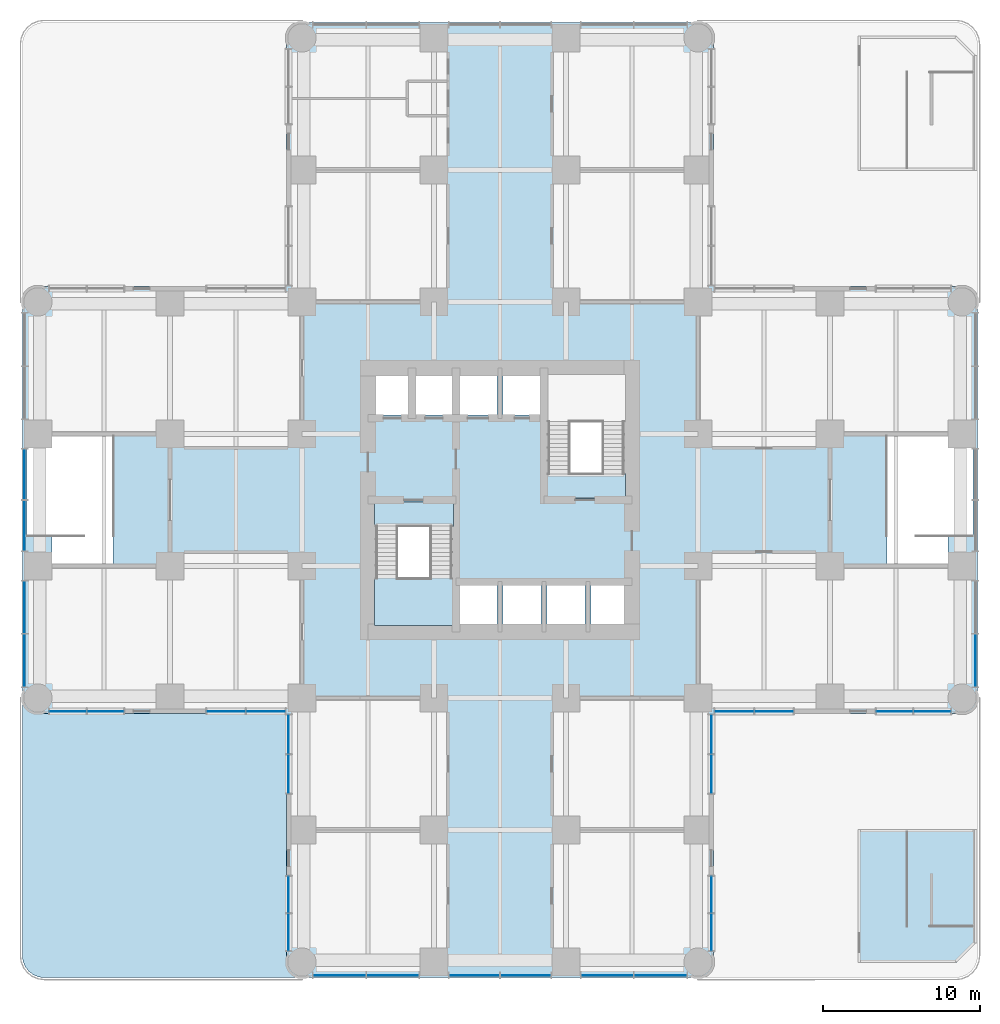
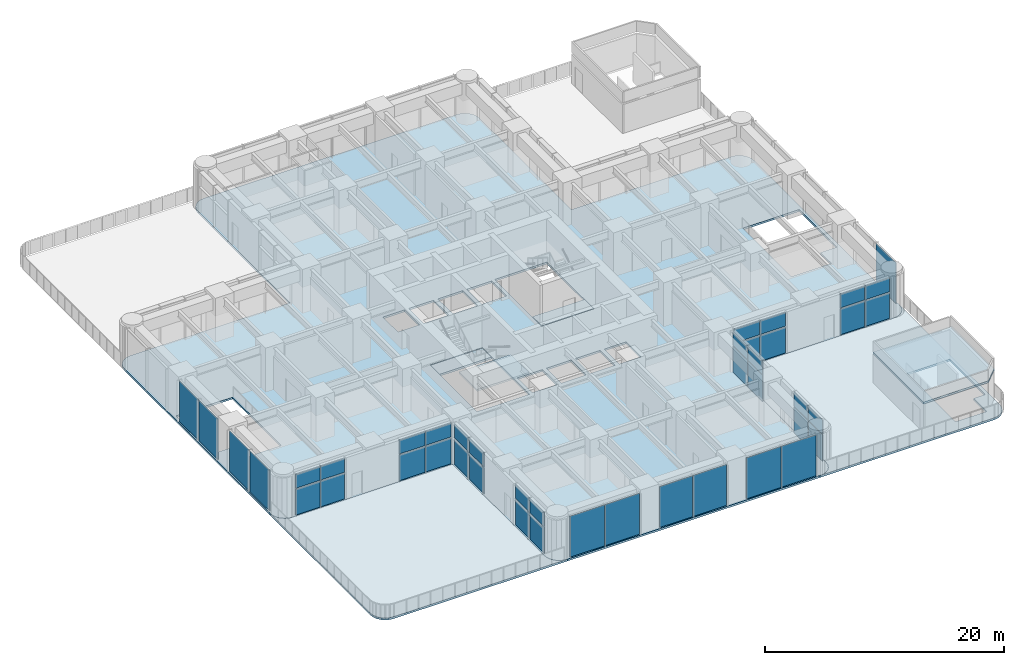
# One storey, part 8 of 21: 43 plates, 7 slabs, 13 elements without a shape of their own.
"""IFC4 building model written with IfcOpenShell, lengths in metres."""

from ifc_helpers import new_model, si_unit, direction, frame, origin, origin_2d, place, context, subcontext, project, spatial, polyline, rectangle, outline, extrude, material, layer, layer_set, type_object, element, aggregate, save


model = new_model("IFC4")

# Units and contexts
model_context = context("Model", 3, precision=1e-05, world=origin(), true_north=direction((0.0, 1.0)))
body_context = subcontext(model_context, "Body", "Model", "MODEL_VIEW")
ifc_project = project(units=[si_unit("LENGTHUNIT", "METRE"), si_unit("AREAUNIT", "SQUARE_METRE"), si_unit("VOLUMEUNIT", "CUBIC_METRE"), si_unit("PLANEANGLEUNIT", "RADIAN"), si_unit("MASSUNIT", "GRAM", prefix="KILO")], contexts=[model_context])

# Site, building, storey
site_placement = place(None, origin())
site = spatial("IfcSite", under=ifc_project, at=site_placement, CompositionType="ELEMENT")
building_placement = place(site_placement, origin())
building = spatial("IfcBuilding", under=site, at=building_placement, Name="Torre Alcanfor", CompositionType="ELEMENT")
storey_placement = place(building_placement, frame((0.0, 0.0, 24.0)))
storey = spatial("IfcBuildingStorey", under=building, at=storey_placement, Name="L05", CompositionType="ELEMENT", Elevation=24.0)

# Curtain wall, plates
ifc_material_1 = material(Name="Aluminium and glass", Category="aluminium")
curtain_wall_type_1 = type_object("IfcCurtainWallType", Name="CW-B unitised classroom glazing with vertical FIN", PredefinedType="NOTDEFINED", material=ifc_material_1)
curtain_wall_1_placement = place(storey_placement, origin())
curtain_wall_1 = element("IfcCurtainWall", 1, at=curtain_wall_1_placement, inside=storey, type_object=curtain_wall_type_1, Name="Curtain wall CW-B L05 2", PredefinedType="NOTDEFINED")
ifc_material_2 = material(Name="Glass", Category="glass")
ifc_layer_1 = layer(ifc_material_2, 0.028076171875)
ifc_layer_set_1 = layer_set([ifc_layer_1], Name="CW-B clear double glazed unit")
plate_type_1 = type_object("IfcPlateType", Name="CW-B clear double glazed unit", PredefinedType="CURTAIN_PANEL", material=ifc_layer_set_1)
plate_1_placement = place(storey_placement, frame((-0.85009765625, 31.03125, 0.0), z_axis=(0.0, 0.0, 1.0), x_axis=(0.0, -1.0, 0.0)))
plate_1 = element("IfcPlate", 2, at=plate_1_placement, type_object=plate_type_1, Name="CW-B panel 2.1.1", PredefinedType="CURTAIN_PANEL", context=body_context, shape_type="SweptSolid", body=[
    extrude(rectangle(XDim=3.197509765625, YDim=0.028076171875, at=origin_2d()), origin(), (0.0, 0.0, 1.0), 4.18505859375),
])
plate_2_placement = place(storey_placement, frame((-0.85009765625, 27.768798828125, 0.0), z_axis=(0.0, 0.0, 1.0), x_axis=(0.0, -1.0, 0.0)))
plate_2 = element("IfcPlate", 3, at=plate_2_placement, type_object=plate_type_1, Name="CW-B panel 2.2.1", PredefinedType="CURTAIN_PANEL", context=body_context, shape_type="SweptSolid", body=[
    extrude(rectangle(XDim=3.197509765625, YDim=0.028076171875, at=origin_2d()), origin(), (0.0, 0.0, 1.0), 4.18505859375),
])
plate_3_placement = place(storey_placement, frame((-0.85009765625, 22.568603515625, 0.0), z_axis=(0.0, 0.0, 1.0), x_axis=(0.0, -1.0, 0.0)))
plate_3 = element("IfcPlate", 4, at=plate_3_placement, type_object=plate_type_1, Name="CW-B panel 3.1.1", PredefinedType="CURTAIN_PANEL", context=body_context, shape_type="SweptSolid", body=[
    extrude(rectangle(XDim=3.32275390625, YDim=0.028076171875, at=origin_2d()), origin(), (0.0, 0.0, 1.0), 4.18505859375),
])
plate_4_placement = place(storey_placement, frame((-0.85009765625, 19.180908203125, 0.0), z_axis=(0.0, 0.0, 1.0), x_axis=(0.0, -1.0, 0.0)))
plate_4 = element("IfcPlate", 5, at=plate_4_placement, type_object=plate_type_1, Name="CW-B panel 3.2.1", PredefinedType="CURTAIN_PANEL", context=body_context, shape_type="SweptSolid", body=[
    extrude(rectangle(XDim=3.32275390625, YDim=0.028076171875, at=origin_2d()), origin(), (0.0, 0.0, 1.0), 4.18505859375),
])
aggregate(curtain_wall_1, [plate_1, plate_2, plate_3, plate_4])

curtain_wall_2_placement = place(storey_placement, origin())
curtain_wall_2 = element("IfcCurtainWall", 6, at=curtain_wall_2_placement, inside=storey, type_object=curtain_wall_type_1, Name="Curtain wall CW-B L05 5", PredefinedType="NOTDEFINED")
plate_5_placement = place(storey_placement, frame((19.180908203125, -0.85009765625, 0.0), z_axis=(0.0, 0.0, 1.0), x_axis=(1.0, 0.0, 0.0)))
plate_5 = element("IfcPlate", 7, at=plate_5_placement, type_object=plate_type_1, Name="CW-B panel 1.1.1", PredefinedType="CURTAIN_PANEL", context=body_context, shape_type="SweptSolid", body=[
    extrude(rectangle(XDim=3.32275390625, YDim=0.028076171875, at=origin_2d()), origin(), (0.0, 0.0, 1.0), 4.18505859375),
])
plate_6_placement = place(storey_placement, frame((22.568603515625, -0.85009765625, 0.0), z_axis=(0.0, 0.0, 1.0), x_axis=(1.0, 0.0, 0.0)))
plate_6 = element("IfcPlate", 8, at=plate_6_placement, type_object=plate_type_1, Name="CW-B panel 1.2.1", PredefinedType="CURTAIN_PANEL", context=body_context, shape_type="SweptSolid", body=[
    extrude(rectangle(XDim=3.32275390625, YDim=0.028076171875, at=origin_2d()), origin(), (0.0, 0.0, 1.0), 4.18505859375),
])
plate_7_placement = place(storey_placement, frame((27.768798828125, -0.85009765625, 0.0), z_axis=(0.0, 0.0, 1.0), x_axis=(1.0, 0.0, 0.0)))
plate_7 = element("IfcPlate", 9, at=plate_7_placement, type_object=plate_type_1, Name="CW-B panel 2.1.1", PredefinedType="CURTAIN_PANEL", context=body_context, shape_type="SweptSolid", body=[
    extrude(rectangle(XDim=3.197509765625, YDim=0.028076171875, at=origin_2d()), origin(), (0.0, 0.0, 1.0), 4.18505859375),
])
plate_8_placement = place(storey_placement, frame((31.03125, -0.85009765625, 0.0), z_axis=(0.0, 0.0, 1.0), x_axis=(1.0, 0.0, 0.0)))
plate_8 = element("IfcPlate", 10, at=plate_8_placement, type_object=plate_type_1, Name="CW-B panel 2.2.1", PredefinedType="CURTAIN_PANEL", context=body_context, shape_type="SweptSolid", body=[
    extrude(rectangle(XDim=3.197509765625, YDim=0.028076171875, at=origin_2d()), origin(), (0.0, 0.0, 1.0), 4.18505859375),
])
plate_9_placement = place(storey_placement, frame((36.2314453125, -0.85009765625, 0.0), z_axis=(0.0, 0.0, 1.0), x_axis=(1.0, 0.0, 0.0)))
plate_9 = element("IfcPlate", 11, at=plate_9_placement, type_object=plate_type_1, Name="CW-B panel 3.1.1", PredefinedType="CURTAIN_PANEL", context=body_context, shape_type="SweptSolid", body=[
    extrude(rectangle(XDim=3.32275390625, YDim=0.028076171875, at=origin_2d()), origin(), (0.0, 0.0, 1.0), 4.18505859375),
])
plate_10_placement = place(storey_placement, frame((39.619140625, -0.85009765625, 0.0), z_axis=(0.0, 0.0, 1.0), x_axis=(1.0, 0.0, 0.0)))
plate_10 = element("IfcPlate", 12, at=plate_10_placement, type_object=plate_type_1, Name="CW-B panel 3.2.1", PredefinedType="CURTAIN_PANEL", context=body_context, shape_type="SweptSolid", body=[
    extrude(rectangle(XDim=3.32275390625, YDim=0.028076171875, at=origin_2d()), origin(), (0.0, 0.0, 1.0), 4.18505859375),
])
aggregate(curtain_wall_2, [plate_5, plate_6, plate_7, plate_8, plate_9, plate_10])

# Curtain wall, plate
curtain_wall_3_placement = place(storey_placement, origin())
curtain_wall_3 = element("IfcCurtainWall", 13, at=curtain_wall_3_placement, inside=storey, type_object=curtain_wall_type_1, Name="Curtain wall CW-B L05 8", PredefinedType="NOTDEFINED")
plate_11_placement = place(storey_placement, frame((59.64990234375, 19.180908203125, 0.0), z_axis=(0.0, 0.0, 1.0), x_axis=(0.0, 1.0, 0.0)))
plate_11 = element("IfcPlate", 14, at=plate_11_placement, type_object=plate_type_1, Name="CW-B panel 1.1.1", PredefinedType="CURTAIN_PANEL", context=body_context, shape_type="SweptSolid", body=[
    extrude(rectangle(XDim=3.32275390625, YDim=0.028076171875, at=origin_2d()), origin(), (0.0, 0.0, 1.0), 4.18505859375),
])
aggregate(curtain_wall_3, [plate_11])

# Curtain wall, plates
ifc_material_3 = material(Name="Aluminium and glass", Category="aluminium")
curtain_wall_type_2 = type_object("IfcCurtainWallType", Name="CW-F south classroom glazing with SUNSHADE transom", PredefinedType="NOTDEFINED", material=ifc_material_3)
curtain_wall_4_placement = place(storey_placement, origin())
curtain_wall_4 = element("IfcCurtainWall", 15, at=curtain_wall_4_placement, inside=storey, type_object=curtain_wall_type_2, Name="Curtain wall CW-F L05 3", PredefinedType="NOTDEFINED")
ifc_material_4 = material(Name="Glass", Category="glass")
ifc_layer_2 = layer(ifc_material_4, 0.028076171875)
ifc_layer_set_2 = layer_set([ifc_layer_2], Name="CW-F clear double glazed unit")
plate_type_2 = type_object("IfcPlateType", Name="CW-F clear double glazed unit", PredefinedType="CURTAIN_PANEL", material=ifc_layer_set_2)
plate_12_placement = place(storey_placement, frame((1.890380859375, 15.949951171875, 0.0), z_axis=(0.0, 0.0, 1.0), x_axis=(1.0, 0.0, 0.0)))
plate_12 = element("IfcPlate", 16, at=plate_12_placement, type_object=plate_type_2, Name="CW-F panel 1.1.1", PredefinedType="CURTAIN_PANEL", context=body_context, shape_type="SweptSolid", body=[
    extrude(rectangle(XDim=2.341796875, YDim=0.028076171875, at=origin_2d()), origin(), (0.0, 0.0, 1.0), 2.66748046875),
])
plate_13_placement = place(storey_placement, frame((1.890380859375, 15.949951171875, 2.732421875), z_axis=(0.0, 0.0, 1.0), x_axis=(1.0, 0.0, 0.0)))
plate_13 = element("IfcPlate", 17, at=plate_13_placement, type_object=plate_type_2, Name="CW-F panel 1.1.2", PredefinedType="CURTAIN_PANEL", context=body_context, shape_type="SweptSolid", body=[
    extrude(rectangle(XDim=2.341796875, YDim=0.028076171875, at=origin_2d()), origin(), (0.0, 0.0, 1.0), 1.452392578125),
])
plate_14_placement = place(storey_placement, frame((4.29736328125, 15.949951171875, 0.0), z_axis=(0.0, 0.0, 1.0), x_axis=(1.0, 0.0, 0.0)))
plate_14 = element("IfcPlate", 18, at=plate_14_placement, type_object=plate_type_2, Name="CW-F panel 1.2.1", PredefinedType="CURTAIN_PANEL", context=body_context, shape_type="SweptSolid", body=[
    extrude(rectangle(XDim=2.341796875, YDim=0.028076171875, at=origin_2d()), origin(), (0.0, 0.0, 1.0), 2.66748046875),
])
plate_15_placement = place(storey_placement, frame((4.29736328125, 15.949951171875, 2.732421875), z_axis=(0.0, 0.0, 1.0), x_axis=(1.0, 0.0, 0.0)))
plate_15 = element("IfcPlate", 19, at=plate_15_placement, type_object=plate_type_2, Name="CW-F panel 1.2.2", PredefinedType="CURTAIN_PANEL", context=body_context, shape_type="SweptSolid", body=[
    extrude(rectangle(XDim=2.341796875, YDim=0.028076171875, at=origin_2d()), origin(), (0.0, 0.0, 1.0), 1.452392578125),
])
aggregate(curtain_wall_4, [plate_12, plate_13, plate_14, plate_15])

curtain_wall_5_placement = place(storey_placement, origin())
curtain_wall_5 = element("IfcCurtainWall", 20, at=curtain_wall_5_placement, inside=storey, type_object=curtain_wall_type_2, Name="Curtain wall CW-F L05 3", PredefinedType="NOTDEFINED")
plate_16_placement = place(storey_placement, frame((11.96630859375, 15.949951171875, 0.0), z_axis=(0.0, 0.0, 1.0), x_axis=(1.0, 0.0, 0.0)))
plate_16 = element("IfcPlate", 21, at=plate_16_placement, type_object=plate_type_2, Name="CW-F panel 1.1", PredefinedType="CURTAIN_PANEL", context=body_context, shape_type="SweptSolid", body=[
    extrude(rectangle(XDim=2.46923828125, YDim=0.028076171875, at=origin_2d()), origin(), (0.0, 0.0, 1.0), 2.66748046875),
])
plate_17_placement = place(storey_placement, frame((11.96630859375, 15.949951171875, 2.732421875), z_axis=(0.0, 0.0, 1.0), x_axis=(1.0, 0.0, 0.0)))
plate_17 = element("IfcPlate", 22, at=plate_17_placement, type_object=plate_type_2, Name="CW-F panel 1.2", PredefinedType="CURTAIN_PANEL", context=body_context, shape_type="SweptSolid", body=[
    extrude(rectangle(XDim=2.46923828125, YDim=0.028076171875, at=origin_2d()), origin(), (0.0, 0.0, 1.0), 1.452392578125),
])
plate_18_placement = place(storey_placement, frame((14.50048828125, 15.949951171875, 0.0), z_axis=(0.0, 0.0, 1.0), x_axis=(1.0, 0.0, 0.0)))
plate_18 = element("IfcPlate", 23, at=plate_18_placement, type_object=plate_type_2, Name="CW-F panel 2.1", PredefinedType="CURTAIN_PANEL", context=body_context, shape_type="SweptSolid", body=[
    extrude(rectangle(XDim=2.46923828125, YDim=0.028076171875, at=origin_2d()), origin(), (0.0, 0.0, 1.0), 2.66748046875),
])
plate_19_placement = place(storey_placement, frame((14.50048828125, 15.949951171875, 2.732421875), z_axis=(0.0, 0.0, 1.0), x_axis=(1.0, 0.0, 0.0)))
plate_19 = element("IfcPlate", 24, at=plate_19_placement, type_object=plate_type_2, Name="CW-F panel 2.2", PredefinedType="CURTAIN_PANEL", context=body_context, shape_type="SweptSolid", body=[
    extrude(rectangle(XDim=2.46923828125, YDim=0.028076171875, at=origin_2d()), origin(), (0.0, 0.0, 1.0), 1.452392578125),
])
aggregate(curtain_wall_5, [plate_16, plate_17, plate_18, plate_19])

curtain_wall_6_placement = place(storey_placement, origin())
curtain_wall_6 = element("IfcCurtainWall", 25, at=curtain_wall_6_placement, inside=storey, type_object=curtain_wall_type_2, Name="Curtain wall CW-F L05 4", PredefinedType="NOTDEFINED")
plate_20_placement = place(storey_placement, frame((15.949951171875, 14.50048828125, 0.0), z_axis=(0.0, 0.0, 1.0), x_axis=(0.0, -1.0, 0.0)))
plate_20 = element("IfcPlate", 26, at=plate_20_placement, type_object=plate_type_2, Name="CW-F panel 1.1", PredefinedType="CURTAIN_PANEL", context=body_context, shape_type="SweptSolid", body=[
    extrude(rectangle(XDim=2.46923828125, YDim=0.028076171875, at=origin_2d()), origin(), (0.0, 0.0, 1.0), 2.66748046875),
])
plate_21_placement = place(storey_placement, frame((15.949951171875, 14.50048828125, 2.732421875), z_axis=(0.0, 0.0, 1.0), x_axis=(0.0, -1.0, 0.0)))
plate_21 = element("IfcPlate", 27, at=plate_21_placement, type_object=plate_type_2, Name="CW-F panel 1.2", PredefinedType="CURTAIN_PANEL", context=body_context, shape_type="SweptSolid", body=[
    extrude(rectangle(XDim=2.46923828125, YDim=0.028076171875, at=origin_2d()), origin(), (0.0, 0.0, 1.0), 1.452392578125),
])
plate_22_placement = place(storey_placement, frame((15.949951171875, 11.96630859375, 0.0), z_axis=(0.0, 0.0, 1.0), x_axis=(0.0, -1.0, 0.0)))
plate_22 = element("IfcPlate", 28, at=plate_22_placement, type_object=plate_type_2, Name="CW-F panel 2.1", PredefinedType="CURTAIN_PANEL", context=body_context, shape_type="SweptSolid", body=[
    extrude(rectangle(XDim=2.46923828125, YDim=0.028076171875, at=origin_2d()), origin(), (0.0, 0.0, 1.0), 2.66748046875),
])
plate_23_placement = place(storey_placement, frame((15.949951171875, 11.96630859375, 2.732421875), z_axis=(0.0, 0.0, 1.0), x_axis=(0.0, -1.0, 0.0)))
plate_23 = element("IfcPlate", 29, at=plate_23_placement, type_object=plate_type_2, Name="CW-F panel 2.2", PredefinedType="CURTAIN_PANEL", context=body_context, shape_type="SweptSolid", body=[
    extrude(rectangle(XDim=2.46923828125, YDim=0.028076171875, at=origin_2d()), origin(), (0.0, 0.0, 1.0), 1.452392578125),
])
aggregate(curtain_wall_6, [plate_20, plate_21, plate_22, plate_23])

curtain_wall_7_placement = place(storey_placement, origin())
curtain_wall_7 = element("IfcCurtainWall", 30, at=curtain_wall_7_placement, inside=storey, type_object=curtain_wall_type_2, Name="Curtain wall CW-F L05 4", PredefinedType="NOTDEFINED")
plate_24_placement = place(storey_placement, frame((15.949951171875, 4.29736328125, 0.0), z_axis=(0.0, 0.0, 1.0), x_axis=(0.0, -1.0, 0.0)))
plate_24 = element("IfcPlate", 31, at=plate_24_placement, type_object=plate_type_2, Name="CW-F panel 1.1.1", PredefinedType="CURTAIN_PANEL", context=body_context, shape_type="SweptSolid", body=[
    extrude(rectangle(XDim=2.341796875, YDim=0.028076171875, at=origin_2d()), origin(), (0.0, 0.0, 1.0), 2.66748046875),
])
plate_25_placement = place(storey_placement, frame((15.949951171875, 4.29736328125, 2.732421875), z_axis=(0.0, 0.0, 1.0), x_axis=(0.0, -1.0, 0.0)))
plate_25 = element("IfcPlate", 32, at=plate_25_placement, type_object=plate_type_2, Name="CW-F panel 1.1.2", PredefinedType="CURTAIN_PANEL", context=body_context, shape_type="SweptSolid", body=[
    extrude(rectangle(XDim=2.341796875, YDim=0.028076171875, at=origin_2d()), origin(), (0.0, 0.0, 1.0), 1.452392578125),
])
plate_26_placement = place(storey_placement, frame((15.949951171875, 1.890380859375, 0.0), z_axis=(0.0, 0.0, 1.0), x_axis=(0.0, -1.0, 0.0)))
plate_26 = element("IfcPlate", 33, at=plate_26_placement, type_object=plate_type_2, Name="CW-F panel 1.2.1", PredefinedType="CURTAIN_PANEL", context=body_context, shape_type="SweptSolid", body=[
    extrude(rectangle(XDim=2.341796875, YDim=0.028076171875, at=origin_2d()), origin(), (0.0, 0.0, 1.0), 2.66748046875),
])
plate_27_placement = place(storey_placement, frame((15.949951171875, 1.890380859375, 2.732421875), z_axis=(0.0, 0.0, 1.0), x_axis=(0.0, -1.0, 0.0)))
plate_27 = element("IfcPlate", 34, at=plate_27_placement, type_object=plate_type_2, Name="CW-F panel 1.2.2", PredefinedType="CURTAIN_PANEL", context=body_context, shape_type="SweptSolid", body=[
    extrude(rectangle(XDim=2.341796875, YDim=0.028076171875, at=origin_2d()), origin(), (0.0, 0.0, 1.0), 1.452392578125),
])
aggregate(curtain_wall_7, [plate_24, plate_25, plate_26, plate_27])

curtain_wall_8_placement = place(storey_placement, origin())
curtain_wall_8 = element("IfcCurtainWall", 35, at=curtain_wall_8_placement, inside=storey, type_object=curtain_wall_type_2, Name="Curtain wall CW-F L05 6", PredefinedType="NOTDEFINED")
plate_28_placement = place(storey_placement, frame((42.85009765625, 1.890380859375, 0.0), z_axis=(0.0, 0.0, 1.0), x_axis=(0.0, 1.0, 0.0)))
plate_28 = element("IfcPlate", 36, at=plate_28_placement, type_object=plate_type_2, Name="CW-F panel 1.1.1", PredefinedType="CURTAIN_PANEL", context=body_context, shape_type="SweptSolid", body=[
    extrude(rectangle(XDim=2.341796875, YDim=0.028076171875, at=origin_2d()), origin(), (0.0, 0.0, 1.0), 2.66748046875),
])
plate_29_placement = place(storey_placement, frame((42.85009765625, 1.890380859375, 2.732421875), z_axis=(0.0, 0.0, 1.0), x_axis=(0.0, 1.0, 0.0)))
plate_29 = element("IfcPlate", 37, at=plate_29_placement, type_object=plate_type_2, Name="CW-F panel 1.1.2", PredefinedType="CURTAIN_PANEL", context=body_context, shape_type="SweptSolid", body=[
    extrude(rectangle(XDim=2.341796875, YDim=0.028076171875, at=origin_2d()), origin(), (0.0, 0.0, 1.0), 1.452392578125),
])
plate_30_placement = place(storey_placement, frame((42.85009765625, 4.29736328125, 0.0), z_axis=(0.0, 0.0, 1.0), x_axis=(0.0, 1.0, 0.0)))
plate_30 = element("IfcPlate", 38, at=plate_30_placement, type_object=plate_type_2, Name="CW-F panel 1.2.1", PredefinedType="CURTAIN_PANEL", context=body_context, shape_type="SweptSolid", body=[
    extrude(rectangle(XDim=2.341796875, YDim=0.028076171875, at=origin_2d()), origin(), (0.0, 0.0, 1.0), 2.66748046875),
])
plate_31_placement = place(storey_placement, frame((42.85009765625, 4.29736328125, 2.732421875), z_axis=(0.0, 0.0, 1.0), x_axis=(0.0, 1.0, 0.0)))
plate_31 = element("IfcPlate", 39, at=plate_31_placement, type_object=plate_type_2, Name="CW-F panel 1.2.2", PredefinedType="CURTAIN_PANEL", context=body_context, shape_type="SweptSolid", body=[
    extrude(rectangle(XDim=2.341796875, YDim=0.028076171875, at=origin_2d()), origin(), (0.0, 0.0, 1.0), 1.452392578125),
])
aggregate(curtain_wall_8, [plate_28, plate_29, plate_30, plate_31])

curtain_wall_9_placement = place(storey_placement, origin())
curtain_wall_9 = element("IfcCurtainWall", 40, at=curtain_wall_9_placement, inside=storey, type_object=curtain_wall_type_2, Name="Curtain wall CW-F L05 6", PredefinedType="NOTDEFINED")
plate_32_placement = place(storey_placement, frame((42.85009765625, 11.96630859375, 0.0), z_axis=(0.0, 0.0, 1.0), x_axis=(0.0, 1.0, 0.0)))
plate_32 = element("IfcPlate", 41, at=plate_32_placement, type_object=plate_type_2, Name="CW-F panel 1.1", PredefinedType="CURTAIN_PANEL", context=body_context, shape_type="SweptSolid", body=[
    extrude(rectangle(XDim=2.46923828125, YDim=0.028076171875, at=origin_2d()), origin(), (0.0, 0.0, 1.0), 2.66748046875),
])
plate_33_placement = place(storey_placement, frame((42.85009765625, 11.96630859375, 2.732421875), z_axis=(0.0, 0.0, 1.0), x_axis=(0.0, 1.0, 0.0)))
plate_33 = element("IfcPlate", 42, at=plate_33_placement, type_object=plate_type_2, Name="CW-F panel 1.2", PredefinedType="CURTAIN_PANEL", context=body_context, shape_type="SweptSolid", body=[
    extrude(rectangle(XDim=2.46923828125, YDim=0.028076171875, at=origin_2d()), origin(), (0.0, 0.0, 1.0), 1.452392578125),
])
plate_34_placement = place(storey_placement, frame((42.85009765625, 14.50048828125, 0.0), z_axis=(0.0, 0.0, 1.0), x_axis=(0.0, 1.0, 0.0)))
plate_34 = element("IfcPlate", 43, at=plate_34_placement, type_object=plate_type_2, Name="CW-F panel 2.1", PredefinedType="CURTAIN_PANEL", context=body_context, shape_type="SweptSolid", body=[
    extrude(rectangle(XDim=2.46923828125, YDim=0.028076171875, at=origin_2d()), origin(), (0.0, 0.0, 1.0), 2.66748046875),
])
plate_35_placement = place(storey_placement, frame((42.85009765625, 14.50048828125, 2.732421875), z_axis=(0.0, 0.0, 1.0), x_axis=(0.0, 1.0, 0.0)))
plate_35 = element("IfcPlate", 44, at=plate_35_placement, type_object=plate_type_2, Name="CW-F panel 2.2", PredefinedType="CURTAIN_PANEL", context=body_context, shape_type="SweptSolid", body=[
    extrude(rectangle(XDim=2.46923828125, YDim=0.028076171875, at=origin_2d()), origin(), (0.0, 0.0, 1.0), 1.452392578125),
])
aggregate(curtain_wall_9, [plate_32, plate_33, plate_34, plate_35])

curtain_wall_10_placement = place(storey_placement, origin())
curtain_wall_10 = element("IfcCurtainWall", 45, at=curtain_wall_10_placement, inside=storey, type_object=curtain_wall_type_2, Name="Curtain wall CW-F L05 7", PredefinedType="NOTDEFINED")
plate_36_placement = place(storey_placement, frame((44.299560546875, 15.949951171875, 0.0), z_axis=(0.0, 0.0, 1.0), x_axis=(1.0, 0.0, 0.0)))
plate_36 = element("IfcPlate", 46, at=plate_36_placement, type_object=plate_type_2, Name="CW-F panel 1.1", PredefinedType="CURTAIN_PANEL", context=body_context, shape_type="SweptSolid", body=[
    extrude(rectangle(XDim=2.46923828125, YDim=0.028076171875, at=origin_2d()), origin(), (0.0, 0.0, 1.0), 2.66748046875),
])
plate_37_placement = place(storey_placement, frame((44.299560546875, 15.949951171875, 2.732421875), z_axis=(0.0, 0.0, 1.0), x_axis=(1.0, 0.0, 0.0)))
plate_37 = element("IfcPlate", 47, at=plate_37_placement, type_object=plate_type_2, Name="CW-F panel 1.2", PredefinedType="CURTAIN_PANEL", context=body_context, shape_type="SweptSolid", body=[
    extrude(rectangle(XDim=2.46923828125, YDim=0.028076171875, at=origin_2d()), origin(), (0.0, 0.0, 1.0), 1.452392578125),
])
plate_38_placement = place(storey_placement, frame((46.833740234375, 15.949951171875, 0.0), z_axis=(0.0, 0.0, 1.0), x_axis=(1.0, 0.0, 0.0)))
plate_38 = element("IfcPlate", 48, at=plate_38_placement, type_object=plate_type_2, Name="CW-F panel 2.1", PredefinedType="CURTAIN_PANEL", context=body_context, shape_type="SweptSolid", body=[
    extrude(rectangle(XDim=2.46923828125, YDim=0.028076171875, at=origin_2d()), origin(), (0.0, 0.0, 1.0), 2.66748046875),
])
plate_39_placement = place(storey_placement, frame((46.833740234375, 15.949951171875, 2.732421875), z_axis=(0.0, 0.0, 1.0), x_axis=(1.0, 0.0, 0.0)))
plate_39 = element("IfcPlate", 49, at=plate_39_placement, type_object=plate_type_2, Name="CW-F panel 2.2", PredefinedType="CURTAIN_PANEL", context=body_context, shape_type="SweptSolid", body=[
    extrude(rectangle(XDim=2.46923828125, YDim=0.028076171875, at=origin_2d()), origin(), (0.0, 0.0, 1.0), 1.452392578125),
])
aggregate(curtain_wall_10, [plate_36, plate_37, plate_38, plate_39])

curtain_wall_11_placement = place(storey_placement, origin())
curtain_wall_11 = element("IfcCurtainWall", 50, at=curtain_wall_11_placement, inside=storey, type_object=curtain_wall_type_2, Name="Curtain wall CW-F L05 7", PredefinedType="NOTDEFINED")
plate_40_placement = place(storey_placement, frame((54.502685546875, 15.949951171875, 0.0), z_axis=(0.0, 0.0, 1.0), x_axis=(1.0, 0.0, 0.0)))
plate_40 = element("IfcPlate", 51, at=plate_40_placement, type_object=plate_type_2, Name="CW-F panel 1.1.1", PredefinedType="CURTAIN_PANEL", context=body_context, shape_type="SweptSolid", body=[
    extrude(rectangle(XDim=2.341796875, YDim=0.028076171875, at=origin_2d()), origin(), (0.0, 0.0, 1.0), 2.66748046875),
])
plate_41_placement = place(storey_placement, frame((54.502685546875, 15.949951171875, 2.732421875), z_axis=(0.0, 0.0, 1.0), x_axis=(1.0, 0.0, 0.0)))
plate_41 = element("IfcPlate", 52, at=plate_41_placement, type_object=plate_type_2, Name="CW-F panel 1.1.2", PredefinedType="CURTAIN_PANEL", context=body_context, shape_type="SweptSolid", body=[
    extrude(rectangle(XDim=2.341796875, YDim=0.028076171875, at=origin_2d()), origin(), (0.0, 0.0, 1.0), 1.452392578125),
])
plate_42_placement = place(storey_placement, frame((56.90966796875, 15.949951171875, 0.0), z_axis=(0.0, 0.0, 1.0), x_axis=(1.0, 0.0, 0.0)))
plate_42 = element("IfcPlate", 53, at=plate_42_placement, type_object=plate_type_2, Name="CW-F panel 1.2.1", PredefinedType="CURTAIN_PANEL", context=body_context, shape_type="SweptSolid", body=[
    extrude(rectangle(XDim=2.341796875, YDim=0.028076171875, at=origin_2d()), origin(), (0.0, 0.0, 1.0), 2.66748046875),
])
plate_43_placement = place(storey_placement, frame((56.90966796875, 15.949951171875, 2.732421875), z_axis=(0.0, 0.0, 1.0), x_axis=(1.0, 0.0, 0.0)))
plate_43 = element("IfcPlate", 54, at=plate_43_placement, type_object=plate_type_2, Name="CW-F panel 1.2.2", PredefinedType="CURTAIN_PANEL", context=body_context, shape_type="SweptSolid", body=[
    extrude(rectangle(XDim=2.341796875, YDim=0.028076171875, at=origin_2d()), origin(), (0.0, 0.0, 1.0), 1.452392578125),
])
aggregate(curtain_wall_11, [plate_40, plate_41, plate_42, plate_43])

# Slabs
ifc_material_5 = material(Name="Concrete f'c 35 MPa", Category="concrete")
ifc_layer_3 = layer(ifc_material_5, 0.199951171875)
ifc_layer_set_3 = layer_set([ifc_layer_3], Name="Floor slab 200")
slab_type_1 = type_object("IfcSlabType", Name="Floor slab 200", PredefinedType="FLOOR", material=ifc_layer_set_3)
slab_1_placement = place(storey_placement, frame((0.0, 0.0, -0.199951171875)))
element("IfcSlab", 55, at=slab_1_placement, inside=storey, type_object=slab_type_1, Name="Floor slab L05", PredefinedType="FLOOR", context=body_context, shape_type="SweptSolid", body=[
    extrude(outline(polyline([(15.800048828125, 43.0), (0.39990234375, 43.0), (0.03759765625, 42.952392578125), (-0.300048828125, 42.8125), (-0.58984375, 42.58984375), (-0.8125, 42.300048828125), (-0.952392578125, 41.96240234375), (-1.0, 41.60009765625), (-1.0, 17.199951171875), (-0.952392578125, 16.837646484375), (-0.8125, 16.5), (-0.58984375, 16.210205078125), (-0.300048828125, 15.987548828125), (0.03759765625, 15.84765625), (0.39990234375, 15.800048828125), (15.800048828125, 15.800048828125), (15.800048828125, 0.39990234375), (15.84765625, 0.03759765625), (15.987548828125, -0.300048828125), (16.210205078125, -0.58984375), (16.5, -0.8125), (16.837646484375, -0.952392578125), (17.199951171875, -1.0), (41.60009765625, -1.0), (41.96240234375, -0.952392578125), (42.300048828125, -0.8125), (42.58984375, -0.58984375), (42.8125, -0.300048828125), (42.952392578125, 0.03759765625), (43.0, 0.39990234375), (43.0, 15.800048828125), (58.39990234375, 15.800048828125), (58.76220703125, 15.84765625), (59.10009765625, 15.987548828125), (59.389892578125, 16.210205078125), (59.6123046875, 16.5), (59.752197265625, 16.837646484375), (59.800048828125, 17.199951171875), (59.800048828125, 41.60009765625), (59.752197265625, 41.96240234375), (59.6123046875, 42.300048828125), (59.389892578125, 42.58984375), (59.10009765625, 42.8125), (58.76220703125, 42.952392578125), (58.39990234375, 43.0), (43.0, 43.0), (43.0, 58.39990234375), (42.952392578125, 58.76220703125), (42.8125, 59.10009765625), (42.58984375, 59.389892578125), (42.300048828125, 59.6123046875), (41.96240234375, 59.752197265625), (41.60009765625, 59.800048828125), (17.199951171875, 59.800048828125), (16.837646484375, 59.752197265625), (16.5, 59.6123046875), (16.210205078125, 59.389892578125), (15.987548828125, 59.10009765625), (15.84765625, 58.76220703125), (15.800048828125, 58.39990234375), (15.800048828125, 43.0)]), holes=[polyline([(21.419921875, 21.419921875), (26.47998046875, 21.419921875), (26.47998046875, 29.280029296875), (21.419921875, 29.280029296875), (21.419921875, 21.419921875)]), polyline([(32.320068359375, 29.52001953125), (37.3798828125, 29.52001953125), (37.3798828125, 37.3798828125), (32.320068359375, 37.3798828125), (32.320068359375, 29.52001953125)]), polyline([(26.800048828125, 21.5), (29.199951171875, 21.5), (29.199951171875, 24.0), (26.800048828125, 24.0), (26.800048828125, 21.5)]), polyline([(29.60009765625, 21.5), (32.0, 21.5), (32.0, 24.0), (29.60009765625, 24.0), (29.60009765625, 21.5)]), polyline([(32.39990234375, 21.5), (34.800048828125, 21.5), (34.800048828125, 24.0), (32.39990234375, 24.0), (32.39990234375, 21.5)]), polyline([(35.199951171875, 21.5), (37.300048828125, 21.5), (37.300048828125, 24.0), (35.199951171875, 24.0), (35.199951171875, 21.5)]), polyline([(21.5, 34.800048828125), (23.60009765625, 34.800048828125), (23.60009765625, 37.300048828125), (21.5, 37.300048828125), (21.5, 34.800048828125)]), polyline([(24.0, 34.800048828125), (26.39990234375, 34.800048828125), (26.39990234375, 37.300048828125), (24.0, 37.300048828125), (24.0, 34.800048828125)]), polyline([(26.800048828125, 34.800048828125), (29.199951171875, 34.800048828125), (29.199951171875, 37.300048828125), (26.800048828125, 37.300048828125), (26.800048828125, 34.800048828125)]), polyline([(29.60009765625, 34.800048828125), (32.0, 34.800048828125), (32.0, 37.300048828125), (29.60009765625, 37.300048828125), (29.60009765625, 34.800048828125)]), polyline([(4.760009765625, 25.324951171875), (0.89990234375, 25.324951171875), (0.89990234375, 27.155029296875), (-0.699951171875, 27.155029296875), (-0.699951171875, 33.47509765625), (4.760009765625, 33.47509765625), (4.760009765625, 25.324951171875)]), polyline([(57.89990234375, 25.324951171875), (54.0400390625, 25.324951171875), (54.0400390625, 33.47509765625), (59.5, 33.47509765625), (59.5, 27.155029296875), (57.89990234375, 27.155029296875), (57.89990234375, 25.324951171875)])]), origin(), (0.0, 0.0, 1.0), 0.199951171875),
])
ifc_material_6 = material(Name="Concrete f'c 35 MPa", Category="concrete")
ifc_layer_4 = layer(ifc_material_6, 0.199951171875)
ifc_layer_set_4 = layer_set([ifc_layer_4], Name="Roof slab 200")
slab_type_2 = type_object("IfcSlabType", Name="Roof slab 200", PredefinedType="ROOF", material=ifc_layer_set_4)
slab_2_placement = place(storey_placement, frame((0.0, 0.0, -0.199951171875)))
element("IfcSlab", 56, at=slab_2_placement, inside=storey, type_object=slab_type_2, Name="Roof slab L05 terrace 1", PredefinedType="ROOF", context=body_context, shape_type="SweptSolid", body=[
    extrude(outline(polyline([(17.199951171875, -1.0), (16.837646484375, -0.952392578125), (16.5, -0.8125), (16.210205078125, -0.58984375), (15.987548828125, -0.300048828125), (15.84765625, 0.03759765625), (15.800048828125, 0.39990234375), (15.800048828125, 15.800048828125), (0.39990234375, 15.800048828125), (0.03759765625, 15.84765625), (-0.300048828125, 15.987548828125), (-0.58984375, 16.210205078125), (-0.8125, 16.5), (-0.952392578125, 16.837646484375), (-1.0, 17.199951171875), (-1.0, 0.39990234375), (-0.952392578125, 0.03759765625), (-0.8125, -0.300048828125), (-0.58984375, -0.58984375), (-0.300048828125, -0.8125), (0.03759765625, -0.952392578125), (0.39990234375, -1.0), (17.199951171875, -1.0)])), origin(), (0.0, 0.0, 1.0), 0.199951171875),
])
slab_3_placement = place(storey_placement, frame((0.0, 0.0, -0.199951171875)))
element("IfcSlab", 57, at=slab_3_placement, inside=storey, type_object=slab_type_2, Name="Roof slab L05 terrace 2", PredefinedType="ROOF", context=body_context, shape_type="SweptSolid", body=[
    extrude(outline(polyline([(59.800048828125, 17.199951171875), (59.752197265625, 16.837646484375), (59.6123046875, 16.5), (59.389892578125, 16.210205078125), (59.10009765625, 15.987548828125), (58.76220703125, 15.84765625), (58.39990234375, 15.800048828125), (43.0, 15.800048828125), (43.0, 0.39990234375), (42.952392578125, 0.03759765625), (42.8125, -0.300048828125), (42.58984375, -0.58984375), (42.300048828125, -0.8125), (41.96240234375, -0.952392578125), (41.60009765625, -1.0), (58.39990234375, -1.0), (58.76220703125, -0.952392578125), (59.10009765625, -0.8125), (59.389892578125, -0.58984375), (59.6123046875, -0.300048828125), (59.752197265625, 0.03759765625), (59.800048828125, 0.39990234375), (59.800048828125, 17.199951171875)]), holes=[polyline([(58.35009765625, 0.125), (55.35009765625, 0.125), (55.35009765625, 8.27490234375), (59.5, 8.27490234375), (59.5, 2.324951171875), (58.35009765625, 2.324951171875), (58.35009765625, 0.125)])]), origin(), (0.0, 0.0, 1.0), 0.199951171875),
])
ifc_material_7 = material(Name="Concrete f'c 35 MPa", Category="concrete")
ifc_layer_5 = layer(ifc_material_7, 0.199951171875)
ifc_layer_set_5 = layer_set([ifc_layer_5], Name="Stair head-house roof 200")
slab_type_3 = type_object("IfcSlabType", Name="Stair head-house roof 200", PredefinedType="ROOF", material=ifc_layer_set_5)
slab_4_placement = place(storey_placement, frame((0.0, 0.0, 3.0)))
element("IfcSlab", 58, at=slab_4_placement, inside=storey, type_object=slab_type_3, Name="Stair head-house roof SS3", PredefinedType="ROOF", context=body_context, shape_type="SweptSolid", body=[
    extrude(outline(polyline([(52.175048828125, 8.425048828125), (59.5, 8.425048828125), (59.5, 8.425048828125), (59.75, 8.425048828125), (59.75, 1.22509765625), (59.64990234375, 1.22509765625), (59.64990234375, 1.19384765625), (58.43115234375, -0.02490234375), (52.175048828125, -0.02490234375), (52.175048828125, 8.425048828125)])), origin(), (0.0, 0.0, 1.0), 0.199951171875),
])

# Stair, slabs
ifc_material_8 = material(Name="Concrete f'c 35 MPa", Category="concrete")
stair_type_1 = type_object("IfcStairType", Name="Exit stair S1 1400 wide", PredefinedType="HALF_TURN_STAIR", material=ifc_material_8)
stair_1_placement = place(storey_placement, origin())
stair_1 = element("IfcStair", 59, at=stair_1_placement, inside=storey, type_object=stair_type_1, Name="Stair S1 L05 to L06", PredefinedType="HALF_TURN_STAIR")
ifc_material_9 = material(Name="Concrete f'c 35 MPa", Category="concrete")
ifc_layer_6 = layer(ifc_material_9, 0.199951171875)
ifc_layer_set_6 = layer_set([ifc_layer_6], Name="Stair landing 200")
slab_type_4 = type_object("IfcSlabType", Name="Stair landing 200", PredefinedType="LANDING", material=ifc_layer_set_6)
slab_5_placement = place(storey_placement, frame((0.0, 0.0, -0.199951171875)))
slab_5 = element("IfcSlab", 60, at=slab_5_placement, type_object=slab_type_4, Name="S1 landing 1", PredefinedType="LANDING", context=body_context, shape_type="SweptSolid", body=[
    extrude(outline(polyline([(21.419921875, 27.699951171875), (26.429931640625, 27.699951171875), (26.429931640625, 29.22998046875), (21.419921875, 29.22998046875), (21.419921875, 27.699951171875)])), origin(), (0.0, 0.0, 1.0), 0.199951171875),
])
slab_6_placement = place(storey_placement, frame((0.0, 0.0, 2.050048828125)))
slab_6 = element("IfcSlab", 61, at=slab_6_placement, type_object=slab_type_4, Name="S1 landing 2", PredefinedType="LANDING", context=body_context, shape_type="SweptSolid", body=[
    extrude(outline(polyline([(21.419921875, 21.419921875), (26.429931640625, 21.419921875), (26.429931640625, 24.43994140625), (21.419921875, 24.43994140625), (21.419921875, 21.419921875)])), origin(), (0.0, 0.0, 1.0), 0.199951171875),
])
aggregate(stair_1, [slab_5, slab_6])

# Stair, slab
ifc_material_10 = material(Name="Concrete f'c 35 MPa", Category="concrete")
stair_type_2 = type_object("IfcStairType", Name="Exit stair S2 1400 wide", PredefinedType="HALF_TURN_STAIR", material=ifc_material_10)
stair_2_placement = place(storey_placement, origin())
stair_2 = element("IfcStair", 62, at=stair_2_placement, inside=storey, type_object=stair_type_2, Name="Stair S2 L05 to L06", PredefinedType="HALF_TURN_STAIR")
slab_7_placement = place(storey_placement, frame((0.0, 0.0, -0.199951171875)))
slab_7 = element("IfcSlab", 63, at=slab_7_placement, type_object=slab_type_4, Name="S2 landing 1", PredefinedType="LANDING", context=body_context, shape_type="SweptSolid", body=[
    extrude(outline(polyline([(32.3701171875, 29.570068359375), (37.3798828125, 29.570068359375), (37.3798828125, 31.10009765625), (32.3701171875, 31.10009765625), (32.3701171875, 29.570068359375)])), origin(), (0.0, 0.0, 1.0), 0.199951171875),
])
aggregate(stair_2, [slab_7])

save(model, "model.ifc")
